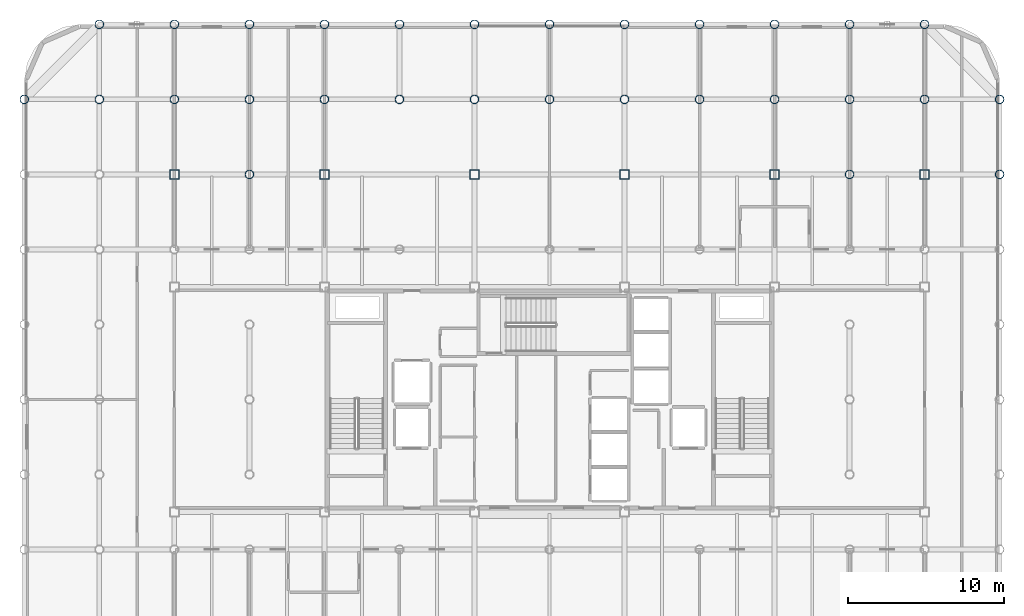
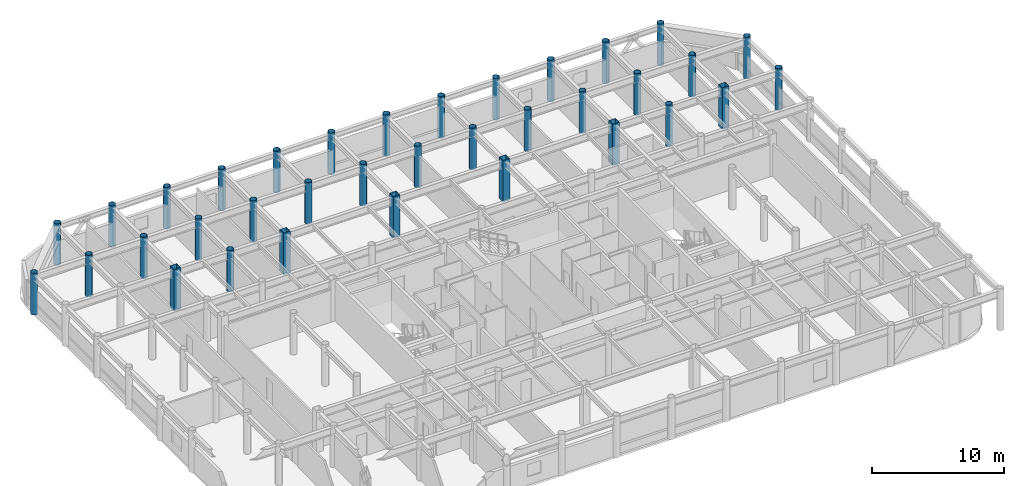
# One storey, part 2 of 22: 35 columns.
"""IFC4 building model written with IfcOpenShell, lengths in metres."""

from ifc_helpers import new_model, si_unit, direction, frame, origin, origin_2d, place, context, subcontext, project, spatial, hollow_rectangle, hollow_circle, extrude, material, material_profile, profile_set, type_object, element, save


model = new_model("IFC4")

# Units and contexts
model_context = context("Model", 3, precision=1e-05, world=origin(), true_north=direction((0.0, 1.0)))
body_context = subcontext(model_context, "Body", "Model", "MODEL_VIEW")
ifc_project = project(units=[si_unit("LENGTHUNIT", "METRE"), si_unit("AREAUNIT", "SQUARE_METRE"), si_unit("VOLUMEUNIT", "CUBIC_METRE"), si_unit("PLANEANGLEUNIT", "RADIAN"), si_unit("MASSUNIT", "GRAM", prefix="KILO")], contexts=[model_context])

# Site, building, storey
site_placement = place(None, origin())
site = spatial("IfcSite", under=ifc_project, at=site_placement, CompositionType="ELEMENT")
building_placement = place(site_placement, origin())
building = spatial("IfcBuilding", under=site, at=building_placement, Name="Kallvorn Hotel Tower", CompositionType="ELEMENT")
storey_placement = place(building_placement, frame((0.0, 0.0, 264.64990234375)))
storey = spatial("IfcBuildingStorey", under=building, at=storey_placement, Name="L66", CompositionType="ELEMENT", Elevation=264.64990234375)

# Columns
ifc_material_1 = material(Name="Structural steel S355J2H", Category="steel")
ifc_material_profile_1 = material_profile(ifc_material_1, hollow_circle(Radius=0.279541015625, WallThickness=0.02490234375, at=origin_2d()), Name="CHS 559x25")
ifc_profile_set_1 = profile_set([ifc_material_profile_1], Name="Structural steel S355J2H")
column_type_1 = type_object("IfcColumnType", Name="COL_CHS_559", PredefinedType="COLUMN", material=ifc_profile_set_1)
for number, where, z_axis, x_axis, name in (
    (1, (-33.60009765625, 19.199951171875, 0.0), (0.0, 0.0, 1.0), (1.0, 0.0, 0.0), "L66 Exoskeleton Column EC08"),
    (2, (-28.800048828125, 19.199951171875, 0.0), (0.0, 0.0, 1.0), (1.0, 0.0, 0.0), "L66 Exoskeleton Column EC17"),
    (3, (-28.800048828125, 24.0, 0.0), (0.0, 0.0, 1.0), (1.0, 0.0, 0.0), "L66 Exoskeleton Column EC18"),
    (4, (-24.0, 19.199951171875, 0.0), (0.0, 0.0, 1.0), (1.0, 0.0, 0.0), "L66 Exoskeleton Column EC22"),
    (5, (-24.0, 24.0, 0.0), (0.0, 0.0, 1.0), (1.0, 0.0, 0.0), "L66 Exoskeleton Column EC23"),
    (6, (-19.199951171875, 14.39990234375, 0.0), (0.0, 0.0, 1.0), (1.0, 0.0, 0.0), "L66 Exoskeleton Column EC31"),
    (7, (-19.199951171875, 19.199951171875, 0.0), (0.0, 0.0, 1.0), (1.0, 0.0, 0.0), "L66 Exoskeleton Column EC32"),
    (8, (-19.199951171875, 24.0, 0.0), (0.0, 0.0, 1.0), (1.0, 0.0, 0.0), "L66 Exoskeleton Column EC33"),
    (9, (-14.39990234375, 19.199951171875, 0.0), (0.0, 0.0, 1.0), (1.0, 0.0, 0.0), "L66 Exoskeleton Column EC35"),
    (10, (-14.39990234375, 24.0, 0.0), (0.0, 0.0, 1.0), (1.0, 0.0, 0.0), "L66 Exoskeleton Column EC36"),
    (11, (-9.60009765625, 19.199951171875, 0.0), (0.0, 0.0, 1.0), (1.0, 0.0, 0.0), "L66 Exoskeleton Column EC40"),
    (12, (-9.60009765625, 24.0, 0.0), (0.0, 0.0, 1.0), (1.0, 0.0, 0.0), "L66 Exoskeleton Column EC41"),
    (13, (-4.800048828125, 19.199951171875, 0.0), (0.0, 0.0, 1.0), (1.0, 0.0, 0.0), "L66 Exoskeleton Column EC43"),
    (14, (-4.800048828125, 24.0, 0.0), (0.0, 0.0, 1.0), (1.0, 0.0, 0.0), "L66 Exoskeleton Column EC44"),
    (15, (0.0, 19.199951171875, 0.0), (0.0, 0.0, 1.0), (1.0, 0.0, 0.0), "L66 Exoskeleton Column EC48"),
    (16, (0.0, 24.0, 0.0), (0.0, 0.0, 1.0), (1.0, 0.0, 0.0), "L66 Exoskeleton Column EC49"),
    (17, (4.800048828125, 19.199951171875, 0.0), (0.0, 0.0, 1.0), (1.0, 0.0, 0.0), "L66 Exoskeleton Column EC51"),
    (18, (4.800048828125, 24.0, 0.0), (0.0, 0.0, 1.0), (1.0, 0.0, 0.0), "L66 Exoskeleton Column EC52"),
    (19, (9.60009765625, 19.199951171875, 0.0), (0.0, 0.0, 1.0), (1.0, 0.0, 0.0), "L66 Exoskeleton Column EC56"),
    (20, (9.60009765625, 24.0, 0.0), (0.0, 0.0, 1.0), (1.0, 0.0, 0.0), "L66 Exoskeleton Column EC57"),
    (21, (14.39990234375, 19.199951171875, 0.0), (0.0, 0.0, 1.0), (1.0, 0.0, 0.0), "L66 Exoskeleton Column EC59"),
    (22, (14.39990234375, 24.0, 0.0), (0.0, 0.0, 1.0), (1.0, 0.0, 0.0), "L66 Exoskeleton Column EC60"),
    (23, (19.199951171875, 14.39990234375, 0.0), (0.0, 0.0, 1.0), (1.0, 0.0, 0.0), "L66 Exoskeleton Column EC68"),
    (24, (19.199951171875, 19.199951171875, 0.0), (0.0, 0.0, 1.0), (1.0, 0.0, 0.0), "L66 Exoskeleton Column EC69"),
    (25, (19.199951171875, 24.0, 0.0), (0.0, 0.0, 1.0), (1.0, 0.0, 0.0), "L66 Exoskeleton Column EC70"),
    (26, (24.0, 19.199951171875, 0.0), (0.0, 0.0, 1.0), (1.0, 0.0, 0.0), "L66 Exoskeleton Column EC74"),
    (27, (24.0, 24.0, 0.0), (0.0, 0.0, 1.0), (1.0, 0.0, 0.0), "L66 Exoskeleton Column EC75"),
    (28, (28.800048828125, 14.39990234375, 0.0), (0.0, 0.0, 1.0), (1.0, 0.0, 0.0), "L66 Exoskeleton Column EC83"),
    (29, (28.800048828125, 19.199951171875, 0.0), (0.0, 0.0, 1.0), (1.0, 0.0, 0.0), "L66 Exoskeleton Column EC84"),
):
    element("IfcColumn", number, at=place(storey_placement, frame(where, z_axis=z_axis, x_axis=x_axis)), inside=storey, type_object=column_type_1, Name=name, PredefinedType="COLUMN", context=body_context, shape_type="SweptSolid", body=[
        extrude(hollow_circle(Radius=0.279541015625, WallThickness=0.02490234375, at=origin_2d()), origin(), (0.0, 0.0, 1.0), 3.85009765625),
    ])
ifc_material_2 = material(Name="Structural steel S355J2H", Category="steel")
ifc_material_profile_2 = material_profile(ifc_material_2, hollow_rectangle(XDim=0.60009765625, YDim=0.60009765625, WallThickness=0.028076171875, at=origin_2d()), Name="RHS 600x600x28")
ifc_profile_set_2 = profile_set([ifc_material_profile_2], Name="Structural steel S355J2H")
column_type_2 = type_object("IfcColumnType", Name="COL_RHS_600", PredefinedType="COLUMN", material=ifc_profile_set_2)
for number, where, z_axis, x_axis, name in (
    (30, (-24.0, 14.39990234375, 0.0), (0.0, 0.0, 1.0), (1.0, 0.0, 0.0), "L66 Inner Column IC04"),
    (31, (-14.39990234375, 14.39990234375, 0.0), (0.0, 0.0, 1.0), (1.0, 0.0, 0.0), "L66 Inner Column IC08"),
    (32, (-4.800048828125, 14.39990234375, 0.0), (0.0, 0.0, 1.0), (1.0, 0.0, 0.0), "L66 Inner Column IC12"),
    (33, (4.800048828125, 14.39990234375, 0.0), (0.0, 0.0, 1.0), (1.0, 0.0, 0.0), "L66 Inner Column IC16"),
    (34, (14.39990234375, 14.39990234375, 0.0), (0.0, 0.0, 1.0), (1.0, 0.0, 0.0), "L66 Inner Column IC20"),
    (35, (24.0, 14.39990234375, 0.0), (0.0, 0.0, 1.0), (1.0, 0.0, 0.0), "L66 Inner Column IC24"),
):
    element("IfcColumn", number, at=place(storey_placement, frame(where, z_axis=z_axis, x_axis=x_axis)), inside=storey, type_object=column_type_2, Name=name, PredefinedType="COLUMN", context=body_context, shape_type="SweptSolid", body=[
        extrude(hollow_rectangle(XDim=0.60009765625, YDim=0.60009765625, WallThickness=0.028076171875, at=origin_2d()), origin(), (0.0, 0.0, 1.0), 3.85009765625),
    ])

save(model, "model.ifc")
